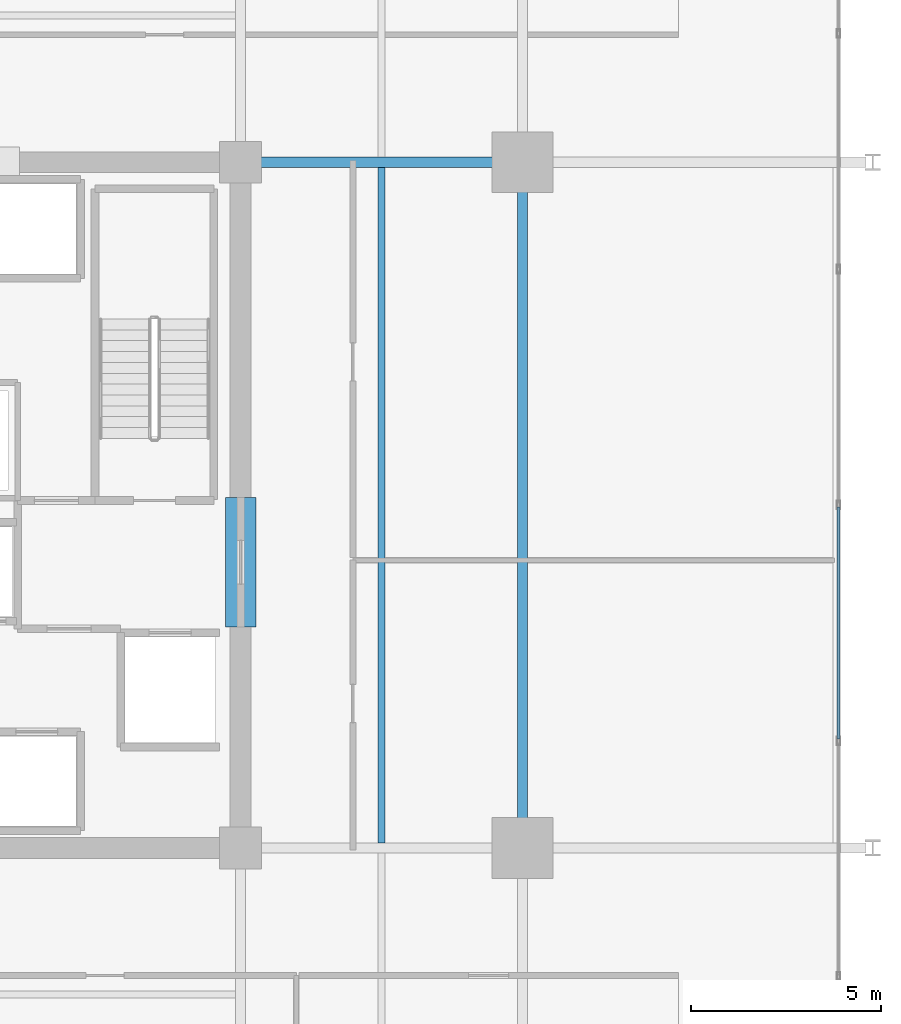
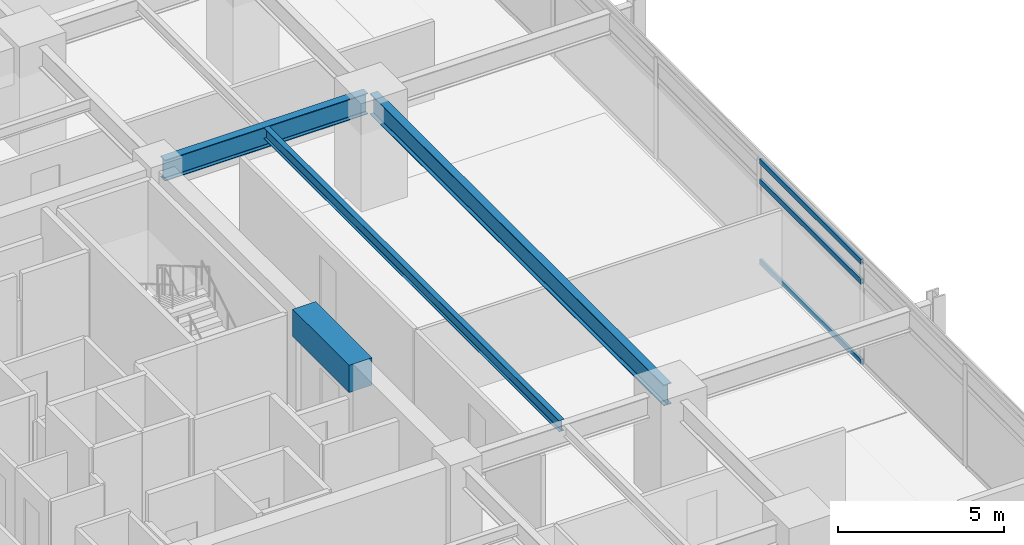
# One storey, part 8 of 20: 4 beams, 3 members, 1 element without a shape of its own.
"""IFC4 building model written with IfcOpenShell, lengths in metres."""

from ifc_helpers import new_model, si_unit, direction, frame, origin, origin_2d, place, context, subcontext, project, spatial, rectangle, hollow_rectangle, i_section, extrude, material, material_profile, profile_set, type_object, element, aggregate, save


model = new_model("IFC4")

# Units and contexts
model_context = context("Model", 3, precision=1e-05, world=origin(), true_north=direction((0.0, 1.0)))
body_context = subcontext(model_context, "Body", "Model", "MODEL_VIEW")
ifc_project = project(units=[si_unit("LENGTHUNIT", "METRE"), si_unit("AREAUNIT", "SQUARE_METRE"), si_unit("VOLUMEUNIT", "CUBIC_METRE"), si_unit("PLANEANGLEUNIT", "RADIAN"), si_unit("MASSUNIT", "GRAM", prefix="KILO")], contexts=[model_context])

# Site, building, storey
site_placement = place(None, origin())
site = spatial("IfcSite", under=ifc_project, at=site_placement, CompositionType="ELEMENT")
building_placement = place(site_placement, origin())
building = spatial("IfcBuilding", under=site, at=building_placement, Name="Kovane Verandah Tower", CompositionType="ELEMENT")
storey_placement = place(building_placement, frame((0.0, 0.0, 164.39990234375)))
storey = spatial("IfcBuildingStorey", under=building, at=storey_placement, Name="L38", CompositionType="ELEMENT", Elevation=164.39990234375)

# Beams
ifc_material_1 = material(Name="Concrete C60/75", Category="concrete")
ifc_material_profile_1 = material_profile(ifc_material_1, rectangle(XDim=0.800048828125, YDim=1.0, at=origin_2d()), Name="RCB800x1000")
ifc_profile_set_1 = profile_set([ifc_material_profile_1], Name="Concrete C60/75")
beam_type_1 = type_object("IfcBeamType", Name="BM-LINTEL-800x1000", PredefinedType="LINTEL", material=ifc_profile_set_1)
beam_1_placement = place(storey_placement, frame((51.0, 24.300048828125, 3.275146484375), z_axis=(0.0, 1.0, 0.0), x_axis=(-1.0, 0.0, 0.0)))
element("IfcBeam", 1, at=beam_1_placement, inside=storey, type_object=beam_type_1, Name="L38 Core Coupling Lintel CL-E", PredefinedType="LINTEL", context=body_context, shape_type="SweptSolid", body=[
    extrude(rectangle(XDim=0.800048828125, YDim=1.0, at=origin_2d()), origin(), (0.0, 0.0, 1.0), 3.39990234375),
])
ifc_material_2 = material(Name="Steel S355", Category="steel")
ifc_material_profile_2 = material_profile(ifc_material_2, i_section(OverallWidth=0.26806640625, OverallDepth=0.769775390625, WebThickness=0.015625, FlangeThickness=0.025390625, FilletRadius=0.0166015625, at=origin_2d()), Name="UB762x267x197")
ifc_profile_set_2 = profile_set([ifc_material_profile_2], Name="Steel S355")
beam_type_2 = type_object("IfcBeamType", Name="BM-UB762x197", PredefinedType="BEAM", material=ifc_profile_set_2)
beam_2_placement = place(storey_placement, frame((58.39990234375, 18.679931640625, 3.39013671875), z_axis=(0.0, 1.0, 0.0), x_axis=(-1.0, 0.0, 0.0)))
element("IfcBeam", 2, at=beam_2_placement, inside=storey, type_object=beam_type_2, Name="L38 Primary Tower Girder G-RE2", PredefinedType="BEAM", context=body_context, shape_type="SweptSolid", body=[
    extrude(i_section(OverallWidth=0.26806640625, OverallDepth=0.769775390625, WebThickness=0.015625, FlangeThickness=0.025390625, FilletRadius=0.0166015625, at=origin_2d()), origin(), (0.0, 0.0, 1.0), 17.64013671875),
])
beam_3_placement = place(storey_placement, frame((51.179931640625, 36.5, 3.39013671875), z_axis=(1.0, 0.0, 0.0), x_axis=(0.0, 1.0, 0.0)))
element("IfcBeam", 3, at=beam_3_placement, inside=storey, type_object=beam_type_2, Name="L38 Primary Tower Girder G-E2", PredefinedType="BEAM", context=body_context, shape_type="SweptSolid", body=[
    extrude(i_section(OverallWidth=0.26806640625, OverallDepth=0.769775390625, WebThickness=0.015625, FlangeThickness=0.025390625, FilletRadius=0.0166015625, at=origin_2d()), origin(), (0.0, 0.0, 1.0), 7.0400390625),
])

# Curtain wall, members
ifc_material_3 = material(Name="Champagne Anodised Aluminium Frame with Low-E Clear Laminated Glass", Category="aluminium")
curtain_wall_type = type_object("IfcCurtainWallType", Name="CW-SYS-03-MID", PredefinedType="NOTDEFINED", material=ifc_material_3)
curtain_wall_placement = place(storey_placement, origin())
curtain_wall = element("IfcCurtainWall", 4, at=curtain_wall_placement, inside=storey, type_object=curtain_wall_type, Name="L38 E Unitised Curtain Wall", PredefinedType="NOTDEFINED")
ifc_material_4 = material(Name="Champagne Anodised Aluminium 6063-T6", Category="aluminium")
ifc_material_profile_3 = material_profile(ifc_material_4, hollow_rectangle(XDim=0.0849609375, YDim=0.18994140625, WallThickness=0.00390625, at=origin_2d()), Name="AL85x190x4")
ifc_profile_set_3 = profile_set([ifc_material_profile_3], Name="Champagne Anodised Aluminium 6063-T6")
member_type = type_object("IfcMemberType", Name="CW-TRN-85x190", PredefinedType="USERDEFINED", material=ifc_profile_set_3)
member_1_placement = place(storey_placement, frame((66.697998046875, 21.35888671875, 0.050048828125), z_axis=(0.0, 1.0, 0.0), x_axis=(-1.0, 0.0, 0.0)))
member_1 = element("IfcMember", 5, at=member_1_placement, type_object=member_type, Name="L38 E Unitised Curtain Wall Transom TB Bay 3", ObjectType="TRANSOM", PredefinedType="USERDEFINED", context=body_context, shape_type="SweptSolid", body=[
    extrude(hollow_rectangle(XDim=0.0849609375, YDim=0.18994140625, WallThickness=0.00390625, at=origin_2d()), origin(), (0.0, 0.0, 1.0), 6.091064453125),
])
member_2_placement = place(storey_placement, frame((66.697998046875, 21.35888671875, 2.9951171875), z_axis=(0.0, 1.0, 0.0), x_axis=(-1.0, 0.0, 0.0)))
member_2 = element("IfcMember", 6, at=member_2_placement, type_object=member_type, Name="L38 E Unitised Curtain Wall Transom TM Bay 3", ObjectType="TRANSOM", PredefinedType="USERDEFINED", context=body_context, shape_type="SweptSolid", body=[
    extrude(hollow_rectangle(XDim=0.0849609375, YDim=0.18994140625, WallThickness=0.00390625, at=origin_2d()), origin(), (0.0, 0.0, 1.0), 6.091064453125),
])
member_3_placement = place(storey_placement, frame((66.697998046875, 21.35888671875, 3.72509765625), z_axis=(0.0, 1.0, 0.0), x_axis=(-1.0, 0.0, 0.0)))
member_3 = element("IfcMember", 7, at=member_3_placement, type_object=member_type, Name="L38 E Unitised Curtain Wall Transom TT Bay 3", ObjectType="TRANSOM", PredefinedType="USERDEFINED", context=body_context, shape_type="SweptSolid", body=[
    extrude(hollow_rectangle(XDim=0.0849609375, YDim=0.18994140625, WallThickness=0.00390625, at=origin_2d()), origin(), (0.0, 0.0, 1.0), 6.091064453125),
])
aggregate(curtain_wall, [member_1, member_2, member_3])

# Beam
ifc_material_profile_4 = material_profile(ifc_material_2, i_section(OverallWidth=0.179443359375, OverallDepth=0.412841796875, WebThickness=0.009521484375, FlangeThickness=0.01611328125, FilletRadius=0.01025390625, at=origin_2d()), Name="UB406x178x74")
ifc_profile_set_4 = profile_set([ifc_material_profile_4], Name="Steel S355")
beam_type_3 = type_object("IfcBeamType", Name="JST-UB406x74", PredefinedType="JOIST", material=ifc_profile_set_4)
beam_4_placement = place(storey_placement, frame((54.699951171875, 18.632080078125, 3.568603515625), z_axis=(0.0, 1.0, 0.0), x_axis=(-1.0, 0.0, 0.0)))
element("IfcBeam", 8, at=beam_4_placement, inside=storey, type_object=beam_type_3, Name="L38 Secondary Composite Joist J-E1", PredefinedType="JOIST", context=body_context, shape_type="SweptSolid", body=[
    extrude(i_section(OverallWidth=0.179443359375, OverallDepth=0.412841796875, WebThickness=0.009521484375, FlangeThickness=0.01611328125, FilletRadius=0.01025390625, at=origin_2d()), origin(), (0.0, 0.0, 1.0), 17.73583984375),
])

save(model, "model.ifc")
